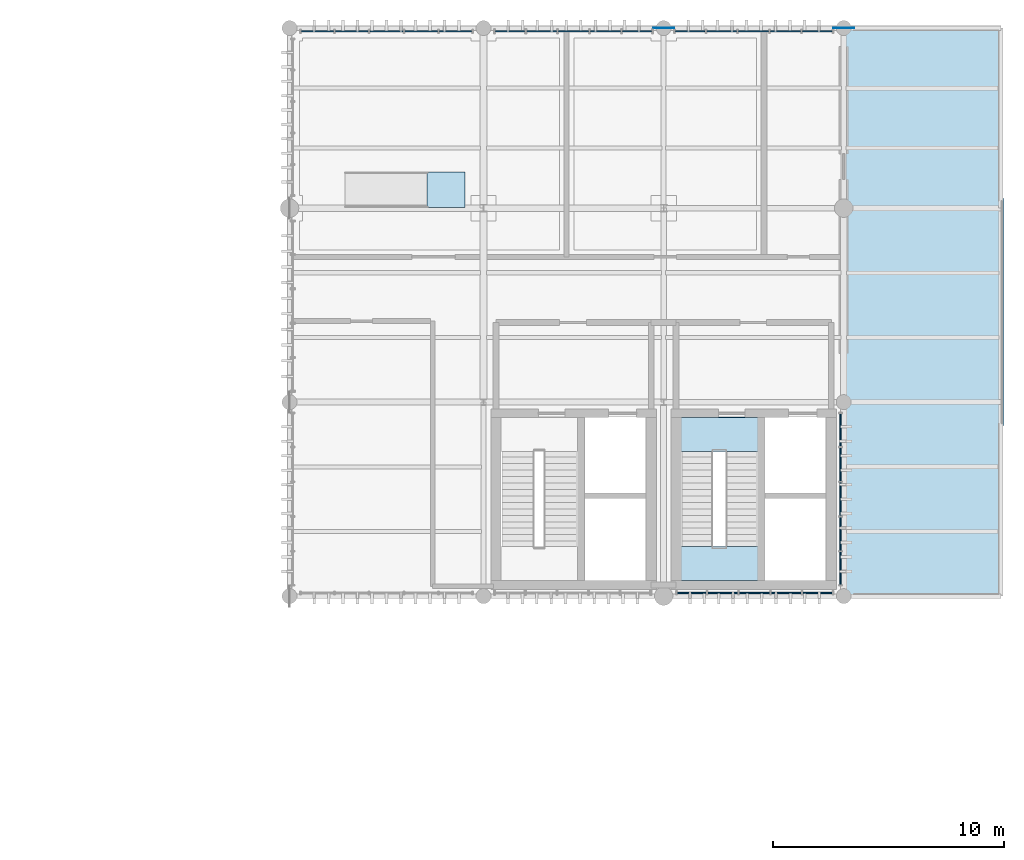
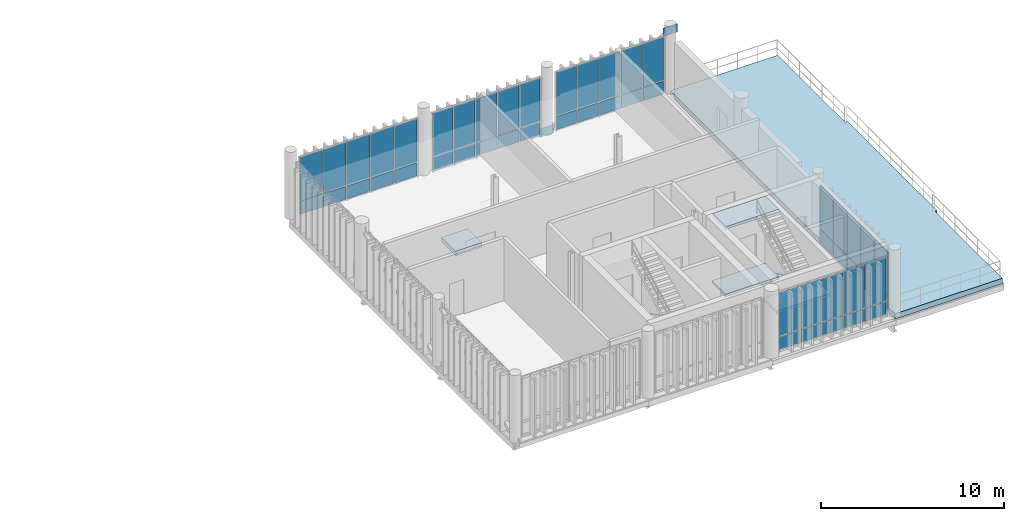
# One storey, part 14 of 19: 52 plates, 5 slabs, 6 elements without a shape of their own.
"""IFC4 building model written with IfcOpenShell, lengths in metres."""

from ifc_helpers import new_model, si_unit, direction, frame, frame_2d, origin_with_axes, origin_2d_with_axis, place, context, subcontext, project, spatial, polyline, rectangle, outline, extrude, material, layer, layer_set, type_object, element, aggregate, save


model = new_model("IFC4")

# Units and contexts
model_context = context("Model", 3, precision=1e-05, world=origin_with_axes(), true_north=direction((0.0, 1.0)))
body_context = subcontext(model_context, "Body", "Model", "MODEL_VIEW")
ifc_project = project(units=[si_unit("LENGTHUNIT", "METRE"), si_unit("AREAUNIT", "SQUARE_METRE"), si_unit("VOLUMEUNIT", "CUBIC_METRE"), si_unit("PLANEANGLEUNIT", "RADIAN"), si_unit("MASSUNIT", "GRAM", prefix="KILO"), si_unit("THERMODYNAMICTEMPERATUREUNIT", "KELVIN")], contexts=[model_context])

# Site, building, storey
site_placement = place(None, origin_with_axes())
site = spatial("IfcSite", under=ifc_project, at=site_placement, CompositionType="ELEMENT")
building_placement = place(site_placement, origin_with_axes())
building = spatial("IfcBuilding", under=site, at=building_placement, Name="Montbau Bow Law Courts", CompositionType="ELEMENT")
storey_placement = place(building_placement, frame((0.0, 0.0, 43.5), z_axis=(0.0, 0.0, 1.0), x_axis=(1.0, 0.0, 0.0)))
storey = spatial("IfcBuildingStorey", under=building, at=storey_placement, Name="L09", CompositionType="ELEMENT", Elevation=43.5)

# Curtain wall, plates
ifc_material_1 = material(Name="Thermally Broken Extruded Aluminium AA 6063-T6", Category="aluminium")
curtain_wall_type = type_object("IfcCurtainWallType", Name="CW-CRM-03", PredefinedType="NOTDEFINED", material=ifc_material_1)
curtain_wall_1_placement = place(None, frame((155.315, 86.54, 43.5), z_axis=(0.0, 0.0, 1.0), x_axis=(1.0, 0.0, 0.0)))
curtain_wall_1 = element("IfcCurtainWall", 1, at=curtain_wall_1_placement, inside=storey, type_object=curtain_wall_type, Name="CW-L09-388:cw_0388", PredefinedType="NOTDEFINED")
ifc_material_2 = material(Name="Triple-Glazed Low-E Argon Insulating Glass Unit", Category="glass")
ifc_layer_1 = layer(ifc_material_2, 0.044, Name="Curtain Panel", Category="glass")
ifc_layer_set_1 = layer_set([ifc_layer_1], Name="Triple-Glazed Low-E Argon Insulating Glass Unit")
plate_type_1 = type_object("IfcPlateType", Name="PL-CWP-01", PredefinedType="CURTAIN_PANEL", material=ifc_layer_set_1)
plate_1_placement = place(None, frame((155.383, 86.54, 44.482), z_axis=(0.0, -1.0, 0.0), x_axis=(1.0, 0.0, 0.0)))
plate_1 = element("IfcPlate", 2, at=plate_1_placement, type_object=plate_type_1, Name="CW-L09-388-P01-2:cw_0388_P01_2", PredefinedType="CURTAIN_PANEL", context=body_context, shape_type="SweptSolid", body=[
    extrude(rectangle(XDim=1.267, YDim=2.876, at=frame_2d((0.6335, 1.438), x_axis=(1.0, 0.0))), frame((0.0, 0.0, -0.022), z_axis=(0.0, 0.0, 1.0), x_axis=(1.0, 0.0, 0.0)), (0.0, 0.0, 1.0), 0.044),
])
plate_2_placement = place(None, frame((156.718, 86.54, 44.482), z_axis=(0.0, -1.0, 0.0), x_axis=(1.0, 0.0, 0.0)))
plate_2 = element("IfcPlate", 3, at=plate_2_placement, type_object=plate_type_1, Name="CW-L09-388-P02-2:cw_0388_P02_2", PredefinedType="CURTAIN_PANEL", context=body_context, shape_type="SweptSolid", body=[
    extrude(rectangle(XDim=1.301, YDim=2.876, at=frame_2d((0.6505, 1.438), x_axis=(1.0, 0.0))), frame((0.0, 0.0, -0.022), z_axis=(0.0, 0.0, 1.0), x_axis=(1.0, 0.0, 0.0)), (0.0, 0.0, 1.0), 0.044),
])
plate_3_placement = place(None, frame((158.087, 86.54, 44.482), z_axis=(0.0, -1.0, 0.0), x_axis=(1.0, 0.0, 0.0)))
plate_3 = element("IfcPlate", 4, at=plate_3_placement, type_object=plate_type_1, Name="CW-L09-388-P03-2:cw_0388_P03_2", PredefinedType="CURTAIN_PANEL", context=body_context, shape_type="SweptSolid", body=[
    extrude(rectangle(XDim=1.301, YDim=2.876, at=frame_2d((0.6505, 1.438), x_axis=(1.0, 0.0))), frame((0.0, 0.0, -0.022), z_axis=(0.0, 0.0, 1.0), x_axis=(1.0, 0.0, 0.0)), (0.0, 0.0, 1.0), 0.044),
])
plate_4_placement = place(None, frame((159.456, 86.54, 44.482), z_axis=(0.0, -1.0, 0.0), x_axis=(1.0, 0.0, 0.0)))
plate_4 = element("IfcPlate", 5, at=plate_4_placement, type_object=plate_type_1, Name="CW-L09-388-P04-2:cw_0388_P04_2", PredefinedType="CURTAIN_PANEL", context=body_context, shape_type="SweptSolid", body=[
    extrude(rectangle(XDim=1.301, YDim=2.876, at=frame_2d((0.6505, 1.438), x_axis=(1.0, 0.0))), frame((0.0, 0.0, -0.022), z_axis=(0.0, 0.0, 1.0), x_axis=(1.0, 0.0, 0.0)), (0.0, 0.0, 1.0), 0.044),
])
plate_5_placement = place(None, frame((160.825, 86.54, 44.482), z_axis=(0.0, -1.0, 0.0), x_axis=(1.0, 0.0, 0.0)))
plate_5 = element("IfcPlate", 6, at=plate_5_placement, type_object=plate_type_1, Name="CW-L09-388-P05-2:cw_0388_P05_2", PredefinedType="CURTAIN_PANEL", context=body_context, shape_type="SweptSolid", body=[
    extrude(rectangle(XDim=1.268, YDim=2.876, at=frame_2d((0.634, 1.438), x_axis=(1.0, 0.0))), frame((0.0, 0.0, -0.022), z_axis=(0.0, 0.0, 1.0), x_axis=(1.0, 0.0, 0.0)), (0.0, 0.0, 1.0), 0.044),
])

curtain_wall_2_placement = place(None, frame((139.04, 110.86, 43.5), z_axis=(0.0, 0.0, 1.0), x_axis=(1.0, 0.0, 0.0)))
curtain_wall_2 = element("IfcCurtainWall", 7, at=curtain_wall_2_placement, inside=storey, type_object=curtain_wall_type, Name="CW-L09-389:cw_0389", PredefinedType="NOTDEFINED")
plate_6_placement = place(None, frame((139.102, 110.86, 44.48), z_axis=(0.0, -1.0, 0.0), x_axis=(1.0, 0.0, 0.0)))
plate_6 = element("IfcPlate", 8, at=plate_6_placement, type_object=plate_type_1, Name="CW-L09-389-P01-2:cw_0389_P01_2", PredefinedType="CURTAIN_PANEL", context=body_context, shape_type="SweptSolid", body=[
    extrude(rectangle(XDim=1.41, YDim=2.882, at=frame_2d((0.705, 1.441), x_axis=(1.0, 0.0))), frame((0.0, 0.0, -0.022), z_axis=(0.0, 0.0, 1.0), x_axis=(1.0, 0.0, 0.0)), (0.0, 0.0, 1.0), 0.044),
])
plate_7_placement = place(None, frame((140.576, 110.86, 44.48), z_axis=(0.0, -1.0, 0.0), x_axis=(1.0, 0.0, 0.0)))
plate_7 = element("IfcPlate", 9, at=plate_7_placement, type_object=plate_type_1, Name="CW-L09-389-P02-2:cw_0389_P02_2", PredefinedType="CURTAIN_PANEL", context=body_context, shape_type="SweptSolid", body=[
    extrude(rectangle(XDim=1.44, YDim=2.882, at=frame_2d((0.72, 1.441), x_axis=(1.0, 0.0))), frame((0.0, 0.0, -0.022), z_axis=(0.0, 0.0, 1.0), x_axis=(1.0, 0.0, 0.0)), (0.0, 0.0, 1.0), 0.044),
])
plate_8_placement = place(None, frame((142.08, 110.86, 44.48), z_axis=(0.0, -1.0, 0.0), x_axis=(1.0, 0.0, 0.0)))
plate_8 = element("IfcPlate", 10, at=plate_8_placement, type_object=plate_type_1, Name="CW-L09-389-P03-2:cw_0389_P03_2", PredefinedType="CURTAIN_PANEL", context=body_context, shape_type="SweptSolid", body=[
    extrude(rectangle(XDim=1.44, YDim=2.882, at=frame_2d((0.72, 1.441), x_axis=(1.0, 0.0))), frame((0.0, 0.0, -0.022), z_axis=(0.0, 0.0, 1.0), x_axis=(1.0, 0.0, 0.0)), (0.0, 0.0, 1.0), 0.044),
])
plate_9_placement = place(None, frame((143.584, 110.86, 44.48), z_axis=(0.0, -1.0, 0.0), x_axis=(1.0, 0.0, 0.0)))
plate_9 = element("IfcPlate", 11, at=plate_9_placement, type_object=plate_type_1, Name="CW-L09-389-P04-2:cw_0389_P04_2", PredefinedType="CURTAIN_PANEL", context=body_context, shape_type="SweptSolid", body=[
    extrude(rectangle(XDim=1.44, YDim=2.882, at=frame_2d((0.72, 1.441), x_axis=(1.0, 0.0))), frame((0.0, 0.0, -0.022), z_axis=(0.0, 0.0, 1.0), x_axis=(1.0, 0.0, 0.0)), (0.0, 0.0, 1.0), 0.044),
])
plate_10_placement = place(None, frame((145.088, 110.86, 44.48), z_axis=(0.0, -1.0, 0.0), x_axis=(1.0, 0.0, 0.0)))
plate_10 = element("IfcPlate", 12, at=plate_10_placement, type_object=plate_type_1, Name="CW-L09-389-P05-2:cw_0389_P05_2", PredefinedType="CURTAIN_PANEL", context=body_context, shape_type="SweptSolid", body=[
    extrude(rectangle(XDim=1.41, YDim=2.882, at=frame_2d((0.705, 1.441), x_axis=(1.0, 0.0))), frame((0.0, 0.0, -0.022), z_axis=(0.0, 0.0, 1.0), x_axis=(1.0, 0.0, 0.0)), (0.0, 0.0, 1.0), 0.044),
])

curtain_wall_3_placement = place(None, frame((147.44, 110.86, 43.5), z_axis=(0.0, 0.0, 1.0), x_axis=(1.0, 0.0, 0.0)))
curtain_wall_3 = element("IfcCurtainWall", 13, at=curtain_wall_3_placement, inside=storey, type_object=curtain_wall_type, Name="CW-L09-390:cw_0390", PredefinedType="NOTDEFINED")
plate_11_placement = place(None, frame((147.516, 110.86, 44.482), z_axis=(0.0, -1.0, 0.0), x_axis=(1.0, 0.0, 0.0)))
plate_11 = element("IfcPlate", 14, at=plate_11_placement, type_object=plate_type_1, Name="CW-L09-390-P01-2:cw_0390_P01_2", PredefinedType="CURTAIN_PANEL", context=body_context, shape_type="SweptSolid", body=[
    extrude(rectangle(XDim=1.268, YDim=2.876, at=frame_2d((0.634, 1.438), x_axis=(1.0, 0.0))), frame((0.0, 0.0, -0.022), z_axis=(0.0, 0.0, 1.0), x_axis=(1.0, 0.0, 0.0)), (0.0, 0.0, 1.0), 0.044),
])
plate_12_placement = place(None, frame((148.863, 110.86, 44.482), z_axis=(0.0, -1.0, 0.0), x_axis=(1.0, 0.0, 0.0)))
plate_12 = element("IfcPlate", 15, at=plate_12_placement, type_object=plate_type_1, Name="CW-L09-390-P02-2:cw_0390_P02_2", PredefinedType="CURTAIN_PANEL", context=body_context, shape_type="SweptSolid", body=[
    extrude(rectangle(XDim=1.305, YDim=2.876, at=frame_2d((0.6525, 1.438), x_axis=(1.0, 0.0))), frame((0.0, 0.0, -0.022), z_axis=(0.0, 0.0, 1.0), x_axis=(1.0, 0.0, 0.0)), (0.0, 0.0, 1.0), 0.044),
])
plate_13_placement = place(None, frame((150.247, 110.86, 44.482), z_axis=(0.0, -1.0, 0.0), x_axis=(1.0, 0.0, 0.0)))
plate_13 = element("IfcPlate", 16, at=plate_13_placement, type_object=plate_type_1, Name="CW-L09-390-P03-2:cw_0390_P03_2", PredefinedType="CURTAIN_PANEL", context=body_context, shape_type="SweptSolid", body=[
    extrude(rectangle(XDim=1.306, YDim=2.876, at=frame_2d((0.653, 1.438), x_axis=(1.0, 0.0))), frame((0.0, 0.0, -0.022), z_axis=(0.0, 0.0, 1.0), x_axis=(1.0, 0.0, 0.0)), (0.0, 0.0, 1.0), 0.044),
])
plate_14_placement = place(None, frame((151.631, 110.86, 44.482), z_axis=(0.0, -1.0, 0.0), x_axis=(1.0, 0.0, 0.0)))
plate_14 = element("IfcPlate", 17, at=plate_14_placement, type_object=plate_type_1, Name="CW-L09-390-P04-2:cw_0390_P04_2", PredefinedType="CURTAIN_PANEL", context=body_context, shape_type="SweptSolid", body=[
    extrude(rectangle(XDim=1.306, YDim=2.876, at=frame_2d((0.653, 1.438), x_axis=(1.0, 0.0))), frame((0.0, 0.0, -0.022), z_axis=(0.0, 0.0, 1.0), x_axis=(1.0, 0.0, 0.0)), (0.0, 0.0, 1.0), 0.044),
])
plate_15_placement = place(None, frame((153.015, 110.86, 44.482), z_axis=(0.0, -1.0, 0.0), x_axis=(1.0, 0.0, 0.0)))
plate_15 = element("IfcPlate", 18, at=plate_15_placement, type_object=plate_type_1, Name="CW-L09-390-P05-2:cw_0390_P05_2", PredefinedType="CURTAIN_PANEL", context=body_context, shape_type="SweptSolid", body=[
    extrude(rectangle(XDim=1.269, YDim=2.876, at=frame_2d((0.6345, 1.438), x_axis=(1.0, 0.0))), frame((0.0, 0.0, -0.022), z_axis=(0.0, 0.0, 1.0), x_axis=(1.0, 0.0, 0.0)), (0.0, 0.0, 1.0), 0.044),
])

curtain_wall_4_placement = place(None, frame((155.24, 110.86, 43.5), z_axis=(0.0, 0.0, 1.0), x_axis=(1.0, 0.0, 0.0)))
curtain_wall_4 = element("IfcCurtainWall", 19, at=curtain_wall_4_placement, inside=storey, type_object=curtain_wall_type, Name="CW-L09-391:cw_0391", PredefinedType="NOTDEFINED")
plate_16_placement = place(None, frame((155.308, 110.86, 44.48), z_axis=(0.0, -1.0, 0.0), x_axis=(1.0, 0.0, 0.0)))
plate_16 = element("IfcPlate", 20, at=plate_16_placement, type_object=plate_type_1, Name="CW-L09-391-P01-2:cw_0391_P01_2", PredefinedType="CURTAIN_PANEL", context=body_context, shape_type="SweptSolid", body=[
    extrude(rectangle(XDim=1.281, YDim=2.882, at=frame_2d((0.6405, 1.441), x_axis=(1.0, 0.0))), frame((0.0, 0.0, -0.022), z_axis=(0.0, 0.0, 1.0), x_axis=(1.0, 0.0, 0.0)), (0.0, 0.0, 1.0), 0.044),
])
plate_17_placement = place(None, frame((156.658, 110.86, 44.48), z_axis=(0.0, -1.0, 0.0), x_axis=(1.0, 0.0, 0.0)))
plate_17 = element("IfcPlate", 21, at=plate_17_placement, type_object=plate_type_1, Name="CW-L09-391-P02-2:cw_0391_P02_2", PredefinedType="CURTAIN_PANEL", context=body_context, shape_type="SweptSolid", body=[
    extrude(rectangle(XDim=1.315, YDim=2.882, at=frame_2d((0.6575, 1.441), x_axis=(1.0, 0.0))), frame((0.0, 0.0, -0.022), z_axis=(0.0, 0.0, 1.0), x_axis=(1.0, 0.0, 0.0)), (0.0, 0.0, 1.0), 0.044),
])
plate_18_placement = place(None, frame((158.042, 110.86, 44.48), z_axis=(0.0, -1.0, 0.0), x_axis=(1.0, 0.0, 0.0)))
plate_18 = element("IfcPlate", 22, at=plate_18_placement, type_object=plate_type_1, Name="CW-L09-391-P03-2:cw_0391_P03_2", PredefinedType="CURTAIN_PANEL", context=body_context, shape_type="SweptSolid", body=[
    extrude(rectangle(XDim=1.316, YDim=2.882, at=frame_2d((0.658, 1.441), x_axis=(1.0, 0.0))), frame((0.0, 0.0, -0.022), z_axis=(0.0, 0.0, 1.0), x_axis=(1.0, 0.0, 0.0)), (0.0, 0.0, 1.0), 0.044),
])
plate_19_placement = place(None, frame((159.426, 110.86, 44.48), z_axis=(0.0, -1.0, 0.0), x_axis=(1.0, 0.0, 0.0)))
plate_19 = element("IfcPlate", 23, at=plate_19_placement, type_object=plate_type_1, Name="CW-L09-391-P04-2:cw_0391_P04_2", PredefinedType="CURTAIN_PANEL", context=body_context, shape_type="SweptSolid", body=[
    extrude(rectangle(XDim=1.316, YDim=2.882, at=frame_2d((0.658, 1.441), x_axis=(1.0, 0.0))), frame((0.0, 0.0, -0.022), z_axis=(0.0, 0.0, 1.0), x_axis=(1.0, 0.0, 0.0)), (0.0, 0.0, 1.0), 0.044),
])
plate_20_placement = place(None, frame((160.81, 110.86, 44.48), z_axis=(0.0, -1.0, 0.0), x_axis=(1.0, 0.0, 0.0)))
plate_20 = element("IfcPlate", 24, at=plate_20_placement, type_object=plate_type_1, Name="CW-L09-391-P05-2:cw_0391_P05_2", PredefinedType="CURTAIN_PANEL", context=body_context, shape_type="SweptSolid", body=[
    extrude(rectangle(XDim=1.283, YDim=2.882, at=frame_2d((0.6415, 1.441), x_axis=(1.0, 0.0))), frame((0.0, 0.0, -0.022), z_axis=(0.0, 0.0, 1.0), x_axis=(1.0, 0.0, 0.0)), (0.0, 0.0, 1.0), 0.044),
])

curtain_wall_5_placement = place(None, frame((162.46, 86.84, 43.5), z_axis=(0.0, 0.0, 1.0), x_axis=(1.0, 0.0, 0.0)))
curtain_wall_5 = element("IfcCurtainWall", 25, at=curtain_wall_5_placement, inside=storey, type_object=curtain_wall_type, Name="CW-L09-395:cw_0395", PredefinedType="NOTDEFINED")
plate_21_placement = place(None, frame((162.46, 86.902, 44.48), z_axis=(1.0, 0.0, 0.0), x_axis=(0.0, 1.0, 0.0)))
plate_21 = element("IfcPlate", 26, at=plate_21_placement, type_object=plate_type_1, Name="CW-L09-395-P01-2:cw_0395_P01_2", PredefinedType="CURTAIN_PANEL", context=body_context, shape_type="SweptSolid", body=[
    extrude(rectangle(XDim=1.41, YDim=2.882, at=frame_2d((0.705, 1.441), x_axis=(1.0, 0.0))), frame((0.0, 0.0, -0.022), z_axis=(0.0, 0.0, 1.0), x_axis=(1.0, 0.0, 0.0)), (0.0, 0.0, 1.0), 0.044),
])
plate_22_placement = place(None, frame((162.46, 88.376, 44.48), z_axis=(1.0, 0.0, 0.0), x_axis=(0.0, 1.0, 0.0)))
plate_22 = element("IfcPlate", 27, at=plate_22_placement, type_object=plate_type_1, Name="CW-L09-395-P02-2:cw_0395_P02_2", PredefinedType="CURTAIN_PANEL", context=body_context, shape_type="SweptSolid", body=[
    extrude(rectangle(XDim=1.44, YDim=2.882, at=frame_2d((0.72, 1.441), x_axis=(1.0, 0.0))), frame((0.0, 0.0, -0.022), z_axis=(0.0, 0.0, 1.0), x_axis=(1.0, 0.0, 0.0)), (0.0, 0.0, 1.0), 0.044),
])
plate_23_placement = place(None, frame((162.46, 89.88, 44.48), z_axis=(1.0, 0.0, 0.0), x_axis=(0.0, 1.0, 0.0)))
plate_23 = element("IfcPlate", 28, at=plate_23_placement, type_object=plate_type_1, Name="CW-L09-395-P03-2:cw_0395_P03_2", PredefinedType="CURTAIN_PANEL", context=body_context, shape_type="SweptSolid", body=[
    extrude(rectangle(XDim=1.44, YDim=2.882, at=frame_2d((0.72, 1.441), x_axis=(1.0, 0.0))), frame((0.0, 0.0, -0.022), z_axis=(0.0, 0.0, 1.0), x_axis=(1.0, 0.0, 0.0)), (0.0, 0.0, 1.0), 0.044),
])
plate_24_placement = place(None, frame((162.46, 91.384, 44.48), z_axis=(1.0, 0.0, 0.0), x_axis=(0.0, 1.0, 0.0)))
plate_24 = element("IfcPlate", 29, at=plate_24_placement, type_object=plate_type_1, Name="CW-L09-395-P04-2:cw_0395_P04_2", PredefinedType="CURTAIN_PANEL", context=body_context, shape_type="SweptSolid", body=[
    extrude(rectangle(XDim=1.44, YDim=2.882, at=frame_2d((0.72, 1.441), x_axis=(1.0, 0.0))), frame((0.0, 0.0, -0.022), z_axis=(0.0, 0.0, 1.0), x_axis=(1.0, 0.0, 0.0)), (0.0, 0.0, 1.0), 0.044),
])
plate_25_placement = place(None, frame((162.46, 92.888, 44.48), z_axis=(1.0, 0.0, 0.0), x_axis=(0.0, 1.0, 0.0)))
plate_25 = element("IfcPlate", 30, at=plate_25_placement, type_object=plate_type_1, Name="CW-L09-395-P05-2:cw_0395_P05_2", PredefinedType="CURTAIN_PANEL", context=body_context, shape_type="SweptSolid", body=[
    extrude(rectangle(XDim=1.41, YDim=2.882, at=frame_2d((0.705, 1.441), x_axis=(1.0, 0.0))), frame((0.0, 0.0, -0.022), z_axis=(0.0, 0.0, 1.0), x_axis=(1.0, 0.0, 0.0)), (0.0, 0.0, 1.0), 0.044),
])

# Plate
ifc_material_3 = material(Name="Insulated Ceramic-Frit Spandrel Glazing Unit", Category="glass")
ifc_layer_2 = layer(ifc_material_3, 0.056, Name="Curtain Panel", Category="glass")
ifc_layer_set_2 = layer_set([ifc_layer_2], Name="Insulated Ceramic-Frit Spandrel Glazing Unit")
plate_type_2 = type_object("IfcPlateType", Name="PL-CWP-02", PredefinedType="CURTAIN_PANEL", material=ifc_layer_set_2)
plate_26_placement = place(None, frame((155.383, 86.54, 43.562), z_axis=(0.0, -1.0, 0.0), x_axis=(1.0, 0.0, 0.0)))
plate_26 = element("IfcPlate", 31, at=plate_26_placement, type_object=plate_type_2, Name="CW-L09-388-P01-1:cw_0388_P01_1", PredefinedType="CURTAIN_PANEL", context=body_context, shape_type="SweptSolid", body=[
    extrude(rectangle(XDim=1.267, YDim=0.856, at=frame_2d((0.6335, 0.428), x_axis=(1.0, 0.0))), frame((0.0, 0.0, -0.028), z_axis=(0.0, 0.0, 1.0), x_axis=(1.0, 0.0, 0.0)), (0.0, 0.0, 1.0), 0.056),
])

plate_27_placement = place(None, frame((156.718, 86.54, 43.562), z_axis=(0.0, -1.0, 0.0), x_axis=(1.0, 0.0, 0.0)))
plate_27 = element("IfcPlate", 32, at=plate_27_placement, type_object=plate_type_2, Name="CW-L09-388-P02-1:cw_0388_P02_1", PredefinedType="CURTAIN_PANEL", context=body_context, shape_type="SweptSolid", body=[
    extrude(rectangle(XDim=1.301, YDim=0.856, at=frame_2d((0.6505, 0.428), x_axis=(1.0, 0.0))), frame((0.0, 0.0, -0.028), z_axis=(0.0, 0.0, 1.0), x_axis=(1.0, 0.0, 0.0)), (0.0, 0.0, 1.0), 0.056),
])

plate_28_placement = place(None, frame((158.087, 86.54, 43.562), z_axis=(0.0, -1.0, 0.0), x_axis=(1.0, 0.0, 0.0)))
plate_28 = element("IfcPlate", 33, at=plate_28_placement, type_object=plate_type_2, Name="CW-L09-388-P03-1:cw_0388_P03_1", PredefinedType="CURTAIN_PANEL", context=body_context, shape_type="SweptSolid", body=[
    extrude(rectangle(XDim=1.301, YDim=0.856, at=frame_2d((0.6505, 0.428), x_axis=(1.0, 0.0))), frame((0.0, 0.0, -0.028), z_axis=(0.0, 0.0, 1.0), x_axis=(1.0, 0.0, 0.0)), (0.0, 0.0, 1.0), 0.056),
])

plate_29_placement = place(None, frame((159.456, 86.54, 43.562), z_axis=(0.0, -1.0, 0.0), x_axis=(1.0, 0.0, 0.0)))
plate_29 = element("IfcPlate", 34, at=plate_29_placement, type_object=plate_type_2, Name="CW-L09-388-P04-1:cw_0388_P04_1", PredefinedType="CURTAIN_PANEL", context=body_context, shape_type="SweptSolid", body=[
    extrude(rectangle(XDim=1.301, YDim=0.856, at=frame_2d((0.6505, 0.428), x_axis=(1.0, 0.0))), frame((0.0, 0.0, -0.028), z_axis=(0.0, 0.0, 1.0), x_axis=(1.0, 0.0, 0.0)), (0.0, 0.0, 1.0), 0.056),
])

plate_30_placement = place(None, frame((160.825, 86.54, 43.562), z_axis=(0.0, -1.0, 0.0), x_axis=(1.0, 0.0, 0.0)))
plate_30 = element("IfcPlate", 35, at=plate_30_placement, type_object=plate_type_2, Name="CW-L09-388-P05-1:cw_0388_P05_1", PredefinedType="CURTAIN_PANEL", context=body_context, shape_type="SweptSolid", body=[
    extrude(rectangle(XDim=1.268, YDim=0.856, at=frame_2d((0.634, 0.428), x_axis=(1.0, 0.0))), frame((0.0, 0.0, -0.028), z_axis=(0.0, 0.0, 1.0), x_axis=(1.0, 0.0, 0.0)), (0.0, 0.0, 1.0), 0.056),
])

aggregate(curtain_wall_1, [plate_26, plate_1, plate_27, plate_2, plate_28, plate_3, plate_29, plate_4, plate_30, plate_5])

plate_31_placement = place(None, frame((139.102, 110.86, 43.558), z_axis=(0.0, -1.0, 0.0), x_axis=(1.0, 0.0, 0.0)))
plate_31 = element("IfcPlate", 36, at=plate_31_placement, type_object=plate_type_2, Name="CW-L09-389-P01-1:cw_0389_P01_1", PredefinedType="CURTAIN_PANEL", context=body_context, shape_type="SweptSolid", body=[
    extrude(rectangle(XDim=1.41, YDim=0.862, at=frame_2d((0.705, 0.431), x_axis=(1.0, 0.0))), frame((0.0, 0.0, -0.028), z_axis=(0.0, 0.0, 1.0), x_axis=(1.0, 0.0, 0.0)), (0.0, 0.0, 1.0), 0.056),
])

plate_32_placement = place(None, frame((140.576, 110.86, 43.558), z_axis=(0.0, -1.0, 0.0), x_axis=(1.0, 0.0, 0.0)))
plate_32 = element("IfcPlate", 37, at=plate_32_placement, type_object=plate_type_2, Name="CW-L09-389-P02-1:cw_0389_P02_1", PredefinedType="CURTAIN_PANEL", context=body_context, shape_type="SweptSolid", body=[
    extrude(rectangle(XDim=1.44, YDim=0.862, at=frame_2d((0.72, 0.431), x_axis=(1.0, 0.0))), frame((0.0, 0.0, -0.028), z_axis=(0.0, 0.0, 1.0), x_axis=(1.0, 0.0, 0.0)), (0.0, 0.0, 1.0), 0.056),
])

plate_33_placement = place(None, frame((142.08, 110.86, 43.558), z_axis=(0.0, -1.0, 0.0), x_axis=(1.0, 0.0, 0.0)))
plate_33 = element("IfcPlate", 38, at=plate_33_placement, type_object=plate_type_2, Name="CW-L09-389-P03-1:cw_0389_P03_1", PredefinedType="CURTAIN_PANEL", context=body_context, shape_type="SweptSolid", body=[
    extrude(rectangle(XDim=1.44, YDim=0.862, at=frame_2d((0.72, 0.431), x_axis=(1.0, 0.0))), frame((0.0, 0.0, -0.028), z_axis=(0.0, 0.0, 1.0), x_axis=(1.0, 0.0, 0.0)), (0.0, 0.0, 1.0), 0.056),
])

plate_34_placement = place(None, frame((143.584, 110.86, 43.558), z_axis=(0.0, -1.0, 0.0), x_axis=(1.0, 0.0, 0.0)))
plate_34 = element("IfcPlate", 39, at=plate_34_placement, type_object=plate_type_2, Name="CW-L09-389-P04-1:cw_0389_P04_1", PredefinedType="CURTAIN_PANEL", context=body_context, shape_type="SweptSolid", body=[
    extrude(rectangle(XDim=1.44, YDim=0.862, at=frame_2d((0.72, 0.431), x_axis=(1.0, 0.0))), frame((0.0, 0.0, -0.028), z_axis=(0.0, 0.0, 1.0), x_axis=(1.0, 0.0, 0.0)), (0.0, 0.0, 1.0), 0.056),
])

plate_35_placement = place(None, frame((145.088, 110.86, 43.558), z_axis=(0.0, -1.0, 0.0), x_axis=(1.0, 0.0, 0.0)))
plate_35 = element("IfcPlate", 40, at=plate_35_placement, type_object=plate_type_2, Name="CW-L09-389-P05-1:cw_0389_P05_1", PredefinedType="CURTAIN_PANEL", context=body_context, shape_type="SweptSolid", body=[
    extrude(rectangle(XDim=1.41, YDim=0.862, at=frame_2d((0.705, 0.431), x_axis=(1.0, 0.0))), frame((0.0, 0.0, -0.028), z_axis=(0.0, 0.0, 1.0), x_axis=(1.0, 0.0, 0.0)), (0.0, 0.0, 1.0), 0.056),
])

aggregate(curtain_wall_2, [plate_31, plate_6, plate_32, plate_7, plate_33, plate_8, plate_34, plate_9, plate_35, plate_10])

plate_36_placement = place(None, frame((147.516, 110.86, 43.562), z_axis=(0.0, -1.0, 0.0), x_axis=(1.0, 0.0, 0.0)))
plate_36 = element("IfcPlate", 41, at=plate_36_placement, type_object=plate_type_2, Name="CW-L09-390-P01-1:cw_0390_P01_1", PredefinedType="CURTAIN_PANEL", context=body_context, shape_type="SweptSolid", body=[
    extrude(rectangle(XDim=1.268, YDim=0.856, at=frame_2d((0.634, 0.428), x_axis=(1.0, 0.0))), frame((0.0, 0.0, -0.028), z_axis=(0.0, 0.0, 1.0), x_axis=(1.0, 0.0, 0.0)), (0.0, 0.0, 1.0), 0.056),
])

plate_37_placement = place(None, frame((148.863, 110.86, 43.562), z_axis=(0.0, -1.0, 0.0), x_axis=(1.0, 0.0, 0.0)))
plate_37 = element("IfcPlate", 42, at=plate_37_placement, type_object=plate_type_2, Name="CW-L09-390-P02-1:cw_0390_P02_1", PredefinedType="CURTAIN_PANEL", context=body_context, shape_type="SweptSolid", body=[
    extrude(rectangle(XDim=1.305, YDim=0.856, at=frame_2d((0.6525, 0.428), x_axis=(1.0, 0.0))), frame((0.0, 0.0, -0.028), z_axis=(0.0, 0.0, 1.0), x_axis=(1.0, 0.0, 0.0)), (0.0, 0.0, 1.0), 0.056),
])

plate_38_placement = place(None, frame((150.247, 110.86, 43.562), z_axis=(0.0, -1.0, 0.0), x_axis=(1.0, 0.0, 0.0)))
plate_38 = element("IfcPlate", 43, at=plate_38_placement, type_object=plate_type_2, Name="CW-L09-390-P03-1:cw_0390_P03_1", PredefinedType="CURTAIN_PANEL", context=body_context, shape_type="SweptSolid", body=[
    extrude(rectangle(XDim=1.306, YDim=0.856, at=frame_2d((0.653, 0.428), x_axis=(1.0, 0.0))), frame((0.0, 0.0, -0.028), z_axis=(0.0, 0.0, 1.0), x_axis=(1.0, 0.0, 0.0)), (0.0, 0.0, 1.0), 0.056),
])

plate_39_placement = place(None, frame((151.631, 110.86, 43.562), z_axis=(0.0, -1.0, 0.0), x_axis=(1.0, 0.0, 0.0)))
plate_39 = element("IfcPlate", 44, at=plate_39_placement, type_object=plate_type_2, Name="CW-L09-390-P04-1:cw_0390_P04_1", PredefinedType="CURTAIN_PANEL", context=body_context, shape_type="SweptSolid", body=[
    extrude(rectangle(XDim=1.306, YDim=0.856, at=frame_2d((0.653, 0.428), x_axis=(1.0, 0.0))), frame((0.0, 0.0, -0.028), z_axis=(0.0, 0.0, 1.0), x_axis=(1.0, 0.0, 0.0)), (0.0, 0.0, 1.0), 0.056),
])

plate_40_placement = place(None, frame((153.015, 110.86, 43.562), z_axis=(0.0, -1.0, 0.0), x_axis=(1.0, 0.0, 0.0)))
plate_40 = element("IfcPlate", 45, at=plate_40_placement, type_object=plate_type_2, Name="CW-L09-390-P05-1:cw_0390_P05_1", PredefinedType="CURTAIN_PANEL", context=body_context, shape_type="SweptSolid", body=[
    extrude(rectangle(XDim=1.269, YDim=0.856, at=frame_2d((0.6345, 0.428), x_axis=(1.0, 0.0))), frame((0.0, 0.0, -0.028), z_axis=(0.0, 0.0, 1.0), x_axis=(1.0, 0.0, 0.0)), (0.0, 0.0, 1.0), 0.056),
])

aggregate(curtain_wall_3, [plate_36, plate_11, plate_37, plate_12, plate_38, plate_13, plate_39, plate_14, plate_40, plate_15])

plate_41_placement = place(None, frame((155.308, 110.86, 43.558), z_axis=(0.0, -1.0, 0.0), x_axis=(1.0, 0.0, 0.0)))
plate_41 = element("IfcPlate", 46, at=plate_41_placement, type_object=plate_type_2, Name="CW-L09-391-P01-1:cw_0391_P01_1", PredefinedType="CURTAIN_PANEL", context=body_context, shape_type="SweptSolid", body=[
    extrude(rectangle(XDim=1.281, YDim=0.862, at=frame_2d((0.6405, 0.431), x_axis=(1.0, 0.0))), frame((0.0, 0.0, -0.028), z_axis=(0.0, 0.0, 1.0), x_axis=(1.0, 0.0, 0.0)), (0.0, 0.0, 1.0), 0.056),
])

plate_42_placement = place(None, frame((156.658, 110.86, 43.558), z_axis=(0.0, -1.0, 0.0), x_axis=(1.0, 0.0, 0.0)))
plate_42 = element("IfcPlate", 47, at=plate_42_placement, type_object=plate_type_2, Name="CW-L09-391-P02-1:cw_0391_P02_1", PredefinedType="CURTAIN_PANEL", context=body_context, shape_type="SweptSolid", body=[
    extrude(rectangle(XDim=1.315, YDim=0.862, at=frame_2d((0.6575, 0.431), x_axis=(1.0, 0.0))), frame((0.0, 0.0, -0.028), z_axis=(0.0, 0.0, 1.0), x_axis=(1.0, 0.0, 0.0)), (0.0, 0.0, 1.0), 0.056),
])

plate_43_placement = place(None, frame((158.042, 110.86, 43.558), z_axis=(0.0, -1.0, 0.0), x_axis=(1.0, 0.0, 0.0)))
plate_43 = element("IfcPlate", 48, at=plate_43_placement, type_object=plate_type_2, Name="CW-L09-391-P03-1:cw_0391_P03_1", PredefinedType="CURTAIN_PANEL", context=body_context, shape_type="SweptSolid", body=[
    extrude(rectangle(XDim=1.316, YDim=0.862, at=frame_2d((0.658, 0.431), x_axis=(1.0, 0.0))), frame((0.0, 0.0, -0.028), z_axis=(0.0, 0.0, 1.0), x_axis=(1.0, 0.0, 0.0)), (0.0, 0.0, 1.0), 0.056),
])

plate_44_placement = place(None, frame((159.426, 110.86, 43.558), z_axis=(0.0, -1.0, 0.0), x_axis=(1.0, 0.0, 0.0)))
plate_44 = element("IfcPlate", 49, at=plate_44_placement, type_object=plate_type_2, Name="CW-L09-391-P04-1:cw_0391_P04_1", PredefinedType="CURTAIN_PANEL", context=body_context, shape_type="SweptSolid", body=[
    extrude(rectangle(XDim=1.316, YDim=0.862, at=frame_2d((0.658, 0.431), x_axis=(1.0, 0.0))), frame((0.0, 0.0, -0.028), z_axis=(0.0, 0.0, 1.0), x_axis=(1.0, 0.0, 0.0)), (0.0, 0.0, 1.0), 0.056),
])

plate_45_placement = place(None, frame((160.81, 110.86, 43.558), z_axis=(0.0, -1.0, 0.0), x_axis=(1.0, 0.0, 0.0)))
plate_45 = element("IfcPlate", 50, at=plate_45_placement, type_object=plate_type_2, Name="CW-L09-391-P05-1:cw_0391_P05_1", PredefinedType="CURTAIN_PANEL", context=body_context, shape_type="SweptSolid", body=[
    extrude(rectangle(XDim=1.283, YDim=0.862, at=frame_2d((0.6415, 0.431), x_axis=(1.0, 0.0))), frame((0.0, 0.0, -0.028), z_axis=(0.0, 0.0, 1.0), x_axis=(1.0, 0.0, 0.0)), (0.0, 0.0, 1.0), 0.056),
])

aggregate(curtain_wall_4, [plate_41, plate_16, plate_42, plate_17, plate_43, plate_18, plate_44, plate_19, plate_45, plate_20])

plate_46_placement = place(None, frame((162.46, 86.902, 43.558), z_axis=(1.0, 0.0, 0.0), x_axis=(0.0, 1.0, 0.0)))
plate_46 = element("IfcPlate", 51, at=plate_46_placement, type_object=plate_type_2, Name="CW-L09-395-P01-1:cw_0395_P01_1", PredefinedType="CURTAIN_PANEL", context=body_context, shape_type="SweptSolid", body=[
    extrude(rectangle(XDim=1.41, YDim=0.862, at=frame_2d((0.705, 0.431), x_axis=(1.0, 0.0))), frame((0.0, 0.0, -0.028), z_axis=(0.0, 0.0, 1.0), x_axis=(1.0, 0.0, 0.0)), (0.0, 0.0, 1.0), 0.056),
])

plate_47_placement = place(None, frame((162.46, 88.376, 43.558), z_axis=(1.0, 0.0, 0.0), x_axis=(0.0, 1.0, 0.0)))
plate_47 = element("IfcPlate", 52, at=plate_47_placement, type_object=plate_type_2, Name="CW-L09-395-P02-1:cw_0395_P02_1", PredefinedType="CURTAIN_PANEL", context=body_context, shape_type="SweptSolid", body=[
    extrude(rectangle(XDim=1.44, YDim=0.862, at=frame_2d((0.72, 0.431), x_axis=(1.0, 0.0))), frame((0.0, 0.0, -0.028), z_axis=(0.0, 0.0, 1.0), x_axis=(1.0, 0.0, 0.0)), (0.0, 0.0, 1.0), 0.056),
])

plate_48_placement = place(None, frame((162.46, 89.88, 43.558), z_axis=(1.0, 0.0, 0.0), x_axis=(0.0, 1.0, 0.0)))
plate_48 = element("IfcPlate", 53, at=plate_48_placement, type_object=plate_type_2, Name="CW-L09-395-P03-1:cw_0395_P03_1", PredefinedType="CURTAIN_PANEL", context=body_context, shape_type="SweptSolid", body=[
    extrude(rectangle(XDim=1.44, YDim=0.862, at=frame_2d((0.72, 0.431), x_axis=(1.0, 0.0))), frame((0.0, 0.0, -0.028), z_axis=(0.0, 0.0, 1.0), x_axis=(1.0, 0.0, 0.0)), (0.0, 0.0, 1.0), 0.056),
])

plate_49_placement = place(None, frame((162.46, 91.384, 43.558), z_axis=(1.0, 0.0, 0.0), x_axis=(0.0, 1.0, 0.0)))
plate_49 = element("IfcPlate", 54, at=plate_49_placement, type_object=plate_type_2, Name="CW-L09-395-P04-1:cw_0395_P04_1", PredefinedType="CURTAIN_PANEL", context=body_context, shape_type="SweptSolid", body=[
    extrude(rectangle(XDim=1.44, YDim=0.862, at=frame_2d((0.72, 0.431), x_axis=(1.0, 0.0))), frame((0.0, 0.0, -0.028), z_axis=(0.0, 0.0, 1.0), x_axis=(1.0, 0.0, 0.0)), (0.0, 0.0, 1.0), 0.056),
])

plate_50_placement = place(None, frame((162.46, 92.888, 43.558), z_axis=(1.0, 0.0, 0.0), x_axis=(0.0, 1.0, 0.0)))
plate_50 = element("IfcPlate", 55, at=plate_50_placement, type_object=plate_type_2, Name="CW-L09-395-P05-1:cw_0395_P05_1", PredefinedType="CURTAIN_PANEL", context=body_context, shape_type="SweptSolid", body=[
    extrude(rectangle(XDim=1.41, YDim=0.862, at=frame_2d((0.705, 0.431), x_axis=(1.0, 0.0))), frame((0.0, 0.0, -0.028), z_axis=(0.0, 0.0, 1.0), x_axis=(1.0, 0.0, 0.0)), (0.0, 0.0, 1.0), 0.056),
])

aggregate(curtain_wall_5, [plate_46, plate_21, plate_47, plate_22, plate_48, plate_23, plate_49, plate_24, plate_50, plate_25])

# Plates
ifc_material_4 = material(Name="Steel CSA G40.21 Grade 350WT (350 MPa)", Category="steel")
ifc_layer_3 = layer(ifc_material_4, 0.032, Name="Gusset Plate", Category="steel")
ifc_layer_set_3 = layer_set([ifc_layer_3], Name="Steel CSA G40.21 Grade 350WT (350 MPa)")
plate_type_3 = type_object("IfcPlateType", Name="PL-GUS-01", PredefinedType="USERDEFINED", material=ifc_layer_set_3)
for number, where, z_axis, x_axis, name in (
    (56, (154.8, 111.0, 43.27), (0.0, 0.0, 1.0), (1.0, 0.0, 0.0), "BGP-L09-178:plt_0209"),
    (57, (162.6, 111.0, 47.277), (0.0, 0.0, 1.0), (1.0, 0.0, 0.0), "BGP-L09-179:plt_0210"),
):
    element("IfcPlate", number, at=place(None, frame(where, z_axis=z_axis, x_axis=x_axis)), inside=storey, type_object=plate_type_3, Name=name, ObjectType="GUSSET_PLATE", PredefinedType="USERDEFINED", context=body_context, shape_type="SweptSolid", body=[
        extrude(rectangle(XDim=0.9, YDim=0.032, at=origin_2d_with_axis()), origin_with_axes(), (0.0, 0.0, 1.0), 0.56),
    ])

# Slab
ifc_material_5 = material(Name="Concrete CSA A23.1 f'c 40 MPa", Category="concrete")
ifc_layer_4 = layer(ifc_material_5, 0.3, Name="Floor Slab", Category="concrete")
ifc_layer_set_4 = layer_set([ifc_layer_4], Name="Concrete CSA A23.1 f'c 40 MPa")
slab_type_1 = type_object("IfcSlabType", Name="SL-FLR-06", PredefinedType="FLOOR", material=ifc_layer_set_4)
slab_1_placement = place(None, frame((0.0, 0.0, 43.5), z_axis=(0.0, 0.0, 1.0), x_axis=(1.0, 0.0, 0.0)))
element("IfcSlab", 58, at=slab_1_placement, inside=storey, type_object=slab_type_1, Name="DAIS-R-BF5:slb_0096", PredefinedType="FLOOR", context=body_context, shape_type="SweptSolid", body=[
    extrude(outline(polyline([(144.555, 103.225), (146.2, 103.225), (146.2, 104.775), (144.555, 104.775), (144.555, 103.225)])), origin_with_axes(), (0.0, 0.0, 1.0), 0.3),
])

# Stair, slabs
stair_type = type_object("IfcStairType", Name="ST-JUD-1500", PredefinedType="HALF_TURN_STAIR", material=ifc_material_5)
stair_placement = place(None, frame((156.265, 92.7, 43.5), z_axis=(0.0, 0.0, 1.0), x_axis=(1.0, 0.0, 0.0)))
stair = element("IfcStair", 59, at=stair_placement, inside=storey, type_object=stair_type, Name="ST-J2-L09:str_0054", PredefinedType="HALF_TURN_STAIR")
ifc_layer_5 = layer(ifc_material_5, 0.18, Name="Landing", Category="concrete")
ifc_layer_set_5 = layer_set([ifc_layer_5], Name="Concrete CSA A23.1 f'c 40 MPa")
slab_type_2 = type_object("IfcSlabType", Name="SL-LND-01", PredefinedType="LANDING", material=ifc_layer_set_5)
slab_2_placement = place(None, frame((0.0, 0.0, 43.32), z_axis=(0.0, 0.0, 1.0), x_axis=(1.0, 0.0, 0.0)))
slab_2 = element("IfcSlab", 60, at=slab_2_placement, type_object=slab_type_2, Name="ST-J2-L09-LB:str_0054_LB", PredefinedType="LANDING", context=body_context, shape_type="SweptSolid", body=[
    extrude(outline(polyline([(155.52, 92.66), (158.9, 92.66), (158.9, 94.16), (155.52, 94.16), (155.52, 92.66)])), origin_with_axes(), (0.0, 0.0, 1.0), 0.18),
])
slab_3_placement = place(None, frame((0.0, 0.0, 45.57), z_axis=(0.0, 0.0, 1.0), x_axis=(1.0, 0.0, 0.0)))
slab_3 = element("IfcSlab", 61, at=slab_3_placement, type_object=slab_type_2, Name="ST-J2-L09-LM:str_0054_LM", PredefinedType="LANDING", context=body_context, shape_type="SweptSolid", body=[
    extrude(outline(polyline([(155.52, 87.07), (158.9, 87.07), (158.9, 88.54), (155.52, 88.54), (155.52, 87.07)])), origin_with_axes(), (0.0, 0.0, 1.0), 0.18),
])
slab_4_placement = place(None, frame((0.0, 0.0, 47.82), z_axis=(0.0, 0.0, 1.0), x_axis=(1.0, 0.0, 0.0)))
slab_4 = element("IfcSlab", 62, at=slab_4_placement, type_object=slab_type_2, Name="ST-J2-L09-LT:str_0054_LT", PredefinedType="LANDING", context=body_context, shape_type="SweptSolid", body=[
    extrude(outline(polyline([(155.52, 92.66), (158.9, 92.66), (158.9, 94.13), (155.52, 94.13), (155.52, 92.66)])), origin_with_axes(), (0.0, 0.0, 1.0), 0.18),
])
aggregate(stair, [slab_2, slab_3, slab_4])

# Slab
ifc_layer_6 = layer(ifc_material_5, 0.36, Name="Floor Slab", Category="concrete")
ifc_layer_set_6 = layer_set([ifc_layer_6], Name="Concrete CSA A23.1 f'c 40 MPa")
slab_type_3 = type_object("IfcSlabType", Name="SL-TER-02", PredefinedType="FLOOR", material=ifc_layer_set_6)
slab_5_placement = place(None, frame((0.0, 0.0, 43.14), z_axis=(0.0, 0.0, 1.0), x_axis=(1.0, 0.0, 0.0)))
element("IfcSlab", 63, at=slab_5_placement, inside=storey, type_object=slab_type_3, Name="TER-L09-V5:slb_0046", PredefinedType="FLOOR", context=body_context, shape_type="SweptSolid", body=[
    extrude(outline(polyline([(162.604, 86.4), (169.4, 86.4), (169.4, 93.78), (169.54, 93.78), (169.54, 103.62), (169.4, 103.62), (169.4, 111.0), (162.604, 111.0), (162.604, 86.4)])), origin_with_axes(), (0.0, 0.0, 1.0), 0.36),
])

save(model, "model.ifc")
